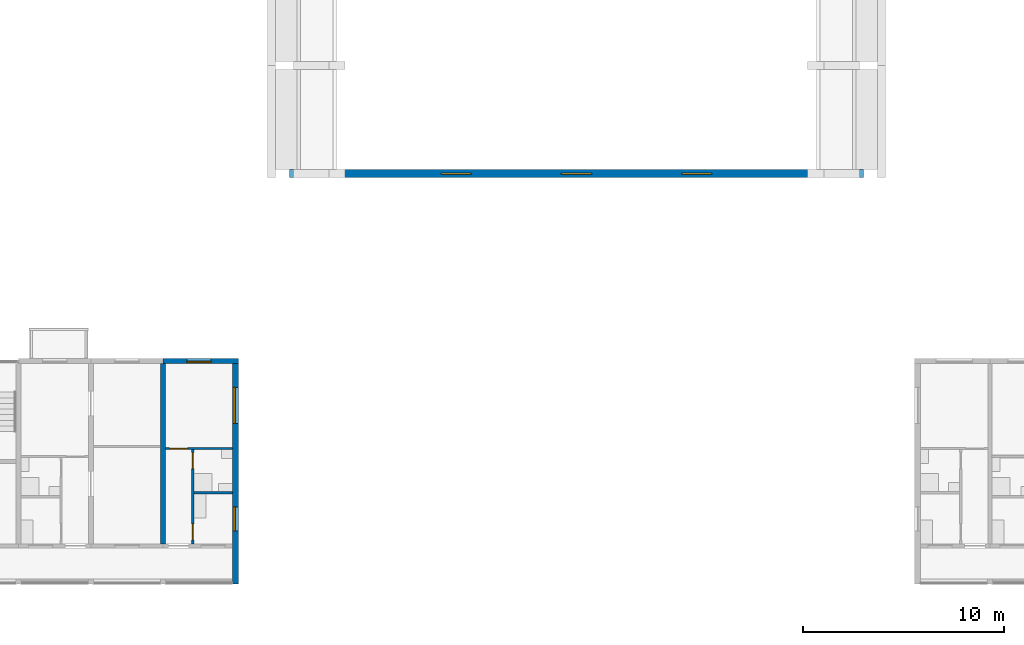
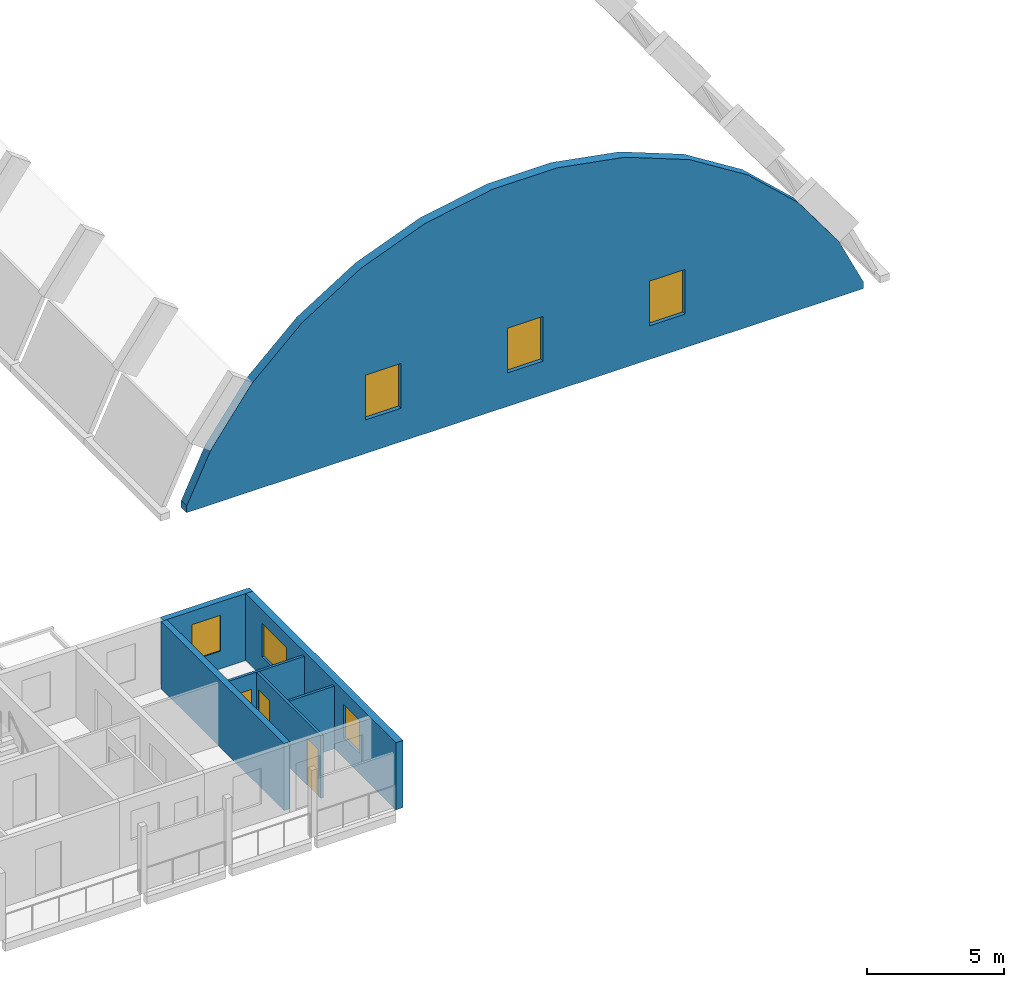
# One storey, part 41 of 100: 7 walls, 6 windows, 3 doors, 9 openings.
"""IFC4 building model written with IfcOpenShell, lengths in metres."""

from ifc_helpers import new_model, si_unit, direction, frame, frame_2d, origin, place, context, subcontext, project, spatial, polyline, rectangle, outline, extrude, material, layer, layer_set, type_object, element, fill, save


model = new_model("IFC4")

# Units and contexts
model_context = context("Model", 3, precision=1e-05, world=origin(), true_north=direction((0.0, 1.0)))
body_context = subcontext(model_context, "Body", "Model", "MODEL_VIEW")
ifc_project = project(units=[si_unit("LENGTHUNIT", "METRE"), si_unit("AREAUNIT", "SQUARE_METRE"), si_unit("VOLUMEUNIT", "CUBIC_METRE"), si_unit("PLANEANGLEUNIT", "RADIAN"), si_unit("MASSUNIT", "GRAM", prefix="KILO")], contexts=[model_context])

# Site, building, storey
site_placement = place(None, origin())
site = spatial("IfcSite", under=ifc_project, at=site_placement, CompositionType="ELEMENT")
building_placement = place(site_placement, origin())
building = spatial("IfcBuilding", under=site, at=building_placement, Name="Ridgestep Commons", CompositionType="ELEMENT")
storey_placement = place(building_placement, frame((0.0, 0.0, 9.0)))
storey = spatial("IfcBuildingStorey", under=building, at=storey_placement, Name="L03", CompositionType="ELEMENT", Elevation=9.0)

# Wall
ifc_material_1 = material(Name="Precast concrete C40/50", Category="concrete")
ifc_layer_1 = layer(ifc_material_1, 0.25)
ifc_layer_set_1 = layer_set([ifc_layer_1], Name="Cross wall 250")
wall_type_1 = type_object("IfcWallType", Name="Cross wall 250", PredefinedType="SHEAR", material=ifc_layer_set_1)
wall_1_placement = place(storey_placement, frame((109.199951171875, 13.75, 0.0), z_axis=(0.0, 0.0, 1.0), x_axis=(0.0, 1.0, 0.0)))
element("IfcWall", 1, at=wall_1_placement, inside=storey, type_object=wall_type_1, Name="Cross wall A-03-1092", PredefinedType="SHEAR", context=body_context, shape_type="SweptSolid", body=[
    extrude(rectangle(XDim=9.0, YDim=0.25, at=frame_2d((4.5, 0.0))), origin(), (0.0, 0.0, 1.0), 3.0),
])

# Wall, openings, windows
ifc_material_2 = material(Name="Precast concrete C40/50", Category="concrete")
ifc_layer_2 = layer(ifc_material_2, 0.300048828125)
ifc_layer_set_2 = layer_set([ifc_layer_2], Name="Exposed division wall 300")
wall_type_2 = type_object("IfcWallType", Name="Exposed division wall 300", PredefinedType="SHEAR", material=ifc_layer_set_2)
wall_2_placement = place(storey_placement, frame((112.800048828125, 11.75, 0.0), z_axis=(0.0, 0.0, 1.0), x_axis=(0.0, 1.0, 0.0)))
wall_2 = element("IfcWall", 2, at=wall_2_placement, inside=storey, type_object=wall_type_2, Name="Cross wall A-03-1128", PredefinedType="SHEAR", context=body_context, shape_type="SweptSolid", body=[
    extrude(rectangle(XDim=11.0, YDim=0.300048828125, at=frame_2d((5.5, 0.0))), origin(), (0.0, 0.0, 1.0), 3.0),
])
opening_1_placement = place(wall_2_placement, frame((2.64990234375, 0.0, 0.89990234375)))
opening_1 = element("IfcOpeningElement", 3, at=opening_1_placement, cuts=wall_2, Name="Opening W10", PredefinedType="OPENING", context=body_context, shape_type="SweptSolid", body=[
    extrude(rectangle(XDim=1.199951171875, YDim=1.5, at=frame_2d((0.60009765625, 0.75))), frame((0.0, 0.159912109375, 0.0), z_axis=(0.0, -1.0, 0.0), x_axis=(1.0, 0.0, 0.0)), (0.0, 0.0, 1.0), 0.320068359375),
])
opening_2_placement = place(wall_2_placement, frame((8.0048828125, 0.0, 0.89990234375)))
opening_2 = element("IfcOpeningElement", 4, at=opening_2_placement, cuts=wall_2, Name="Opening W20", PredefinedType="OPENING", context=body_context, shape_type="SweptSolid", body=[
    extrude(rectangle(XDim=1.800048828125, YDim=1.5, at=frame_2d((0.89990234375, 0.75))), frame((0.0, 0.159912109375, 0.0), z_axis=(0.0, -1.0, 0.0), x_axis=(1.0, 0.0, 0.0)), (0.0, 0.0, 1.0), 0.320068359375),
])
ifc_material_3 = material(Name="Aluminium 6063-T6 and glass", Category="aluminium")
window_type_1 = type_object("IfcWindowType", Name="Flat window 1200 x 1500", PartitioningType="SINGLE_PANEL", PredefinedType="WINDOW", material=ifc_material_3)
window_1_placement = place(opening_1_placement, origin())
window_1 = element("IfcWindow", 5, at=window_1_placement, inside=storey, type_object=window_type_1, Name="Window A6-03a 3", OverallHeight=1.5, OverallWidth=1.199951171875, PartitioningType="SINGLE_PANEL", PredefinedType="WINDOW", context=body_context, shape_type="SweptSolid", body=[
    extrude(rectangle(XDim=1.199951171875, YDim=1.5, at=frame_2d((0.60009765625, 0.75))), frame((0.0, 0.06005859375, 0.0), z_axis=(0.0, -1.0, 0.0), x_axis=(1.0, 0.0, 0.0)), (0.0, 0.0, 1.0), 0.06005859375),
])
fill(opening_1, window_1)
ifc_material_4 = material(Name="Aluminium 6063-T6 and glass", Category="aluminium")
window_type_2 = type_object("IfcWindowType", Name="Flat window 1800 x 1500", PartitioningType="DOUBLE_PANEL_VERTICAL", PredefinedType="WINDOW", material=ifc_material_4)
window_2_placement = place(opening_2_placement, origin())
window_2 = element("IfcWindow", 6, at=window_2_placement, inside=storey, type_object=window_type_2, Name="Window A6-03a 4", OverallHeight=1.5, OverallWidth=1.800048828125, PartitioningType="SINGLE_PANEL", PredefinedType="WINDOW", context=body_context, shape_type="SweptSolid", body=[
    extrude(rectangle(XDim=1.800048828125, YDim=1.5, at=frame_2d((0.89990234375, 0.75))), frame((0.0, 0.06005859375, 0.0), z_axis=(0.0, -1.0, 0.0), x_axis=(1.0, 0.0, 0.0)), (0.0, 0.0, 1.0), 0.06005859375),
])
fill(opening_2, window_2)

ifc_material_5 = material(Name="Precast concrete C40/50", Category="concrete")
ifc_layer_3 = layer(ifc_material_5, 0.39990234375)
ifc_layer_set_3 = layer_set([ifc_layer_3], Name="Hall gable infill 400")
wall_type_3 = type_object("IfcWallType", Name="Hall gable infill 400", PredefinedType="SOLIDWALL", material=ifc_layer_set_3)
wall_3_placement = place(storey_placement, frame((115.5, 32.199951171875, 0.0), z_axis=(0.0, 0.0, 1.0), x_axis=(1.0, 0.0, 0.0)))
wall_3 = element("IfcWall", 7, at=wall_3_placement, inside=storey, type_object=wall_type_3, Name="Hall gable infill 400", PredefinedType="SOLIDWALL", context=body_context, shape_type="SweptSolid", body=[
    extrude(outline(polyline([(0.0, 0.0), (28.60009765625, 0.0), (28.60009765625, 0.2978515625), (27.575439453125, 2.45263671875), (25.8505859375, 4.804931640625), (23.71435546875, 6.79150390625), (21.2431640625, 8.34130859375), (18.524658203125, 9.3994140625), (15.654296875, 9.928466796875), (14.300048828125, 9.928466796875), (12.94580078125, 9.928466796875), (10.0751953125, 9.3994140625), (7.35693359375, 8.34130859375), (4.8857421875, 6.79150390625), (2.74951171875, 4.804931640625), (1.0244140625, 2.45263671875), (0.0, 0.2978515625), (0.0, 0.0)])), frame((0.0, 0.199951171875, 0.0), z_axis=(0.0, -1.0, 0.0), x_axis=(1.0, 0.0, 0.0)), (0.0, 0.0, 1.0), 0.39990234375),
])
opening_3_placement = place(wall_3_placement, frame((7.550048828125, 0.0, 1.5)))
opening_3 = element("IfcOpeningElement", 8, at=opening_3_placement, cuts=wall_3, Name="Opening WK7", PredefinedType="OPENING", context=body_context, shape_type="SweptSolid", body=[
    extrude(rectangle(XDim=1.5, YDim=2.0, at=frame_2d((0.75, 1.0))), frame((0.0, 0.2099609375, 0.0), z_axis=(0.0, -1.0, 0.0), x_axis=(1.0, 0.0, 0.0)), (0.0, 0.0, 1.0), 0.419921875),
])
opening_4_placement = place(wall_3_placement, frame((13.550048828125, 0.0, 1.5)))
opening_4 = element("IfcOpeningElement", 9, at=opening_4_placement, cuts=wall_3, Name="Opening WK7", PredefinedType="OPENING", context=body_context, shape_type="SweptSolid", body=[
    extrude(rectangle(XDim=1.5, YDim=2.0, at=frame_2d((0.75, 1.0))), frame((0.0, 0.2099609375, 0.0), z_axis=(0.0, -1.0, 0.0), x_axis=(1.0, 0.0, 0.0)), (0.0, 0.0, 1.0), 0.419921875),
])
opening_5_placement = place(wall_3_placement, frame((19.550048828125, 0.0, 1.5)))
opening_5 = element("IfcOpeningElement", 10, at=opening_5_placement, cuts=wall_3, Name="Opening WK7", PredefinedType="OPENING", context=body_context, shape_type="SweptSolid", body=[
    extrude(rectangle(XDim=1.5, YDim=2.0, at=frame_2d((0.75, 1.0))), frame((0.0, 0.2099609375, 0.0), z_axis=(0.0, -1.0, 0.0), x_axis=(1.0, 0.0, 0.0)), (0.0, 0.0, 1.0), 0.419921875),
])
ifc_material_6 = material(Name="Aluminium and glass", Category="aluminium")
window_type_3 = type_object("IfcWindowType", Name="Gable window 1500 x 2000", PartitioningType="SINGLE_PANEL", PredefinedType="WINDOW", material=ifc_material_6)
window_3_placement = place(opening_3_placement, origin())
window_3 = element("IfcWindow", 11, at=window_3_placement, inside=storey, type_object=window_type_3, Name="Gable window 1500 x 2000", OverallHeight=2.0, OverallWidth=1.5, PartitioningType="SINGLE_PANEL", PredefinedType="WINDOW", context=body_context, shape_type="SweptSolid", body=[
    extrude(rectangle(XDim=1.5, YDim=2.0, at=frame_2d((0.75, 1.0))), frame((0.0, 0.030029296875, 0.0), z_axis=(0.0, -1.0, 0.0), x_axis=(1.0, 0.0, 0.0)), (0.0, 0.0, 1.0), 0.06005859375),
])
fill(opening_3, window_3)
window_4_placement = place(opening_4_placement, origin())
window_4 = element("IfcWindow", 12, at=window_4_placement, inside=storey, type_object=window_type_3, Name="Gable window 1500 x 2000", OverallHeight=2.0, OverallWidth=1.5, PartitioningType="SINGLE_PANEL", PredefinedType="WINDOW", context=body_context, shape_type="SweptSolid", body=[
    extrude(rectangle(XDim=1.5, YDim=2.0, at=frame_2d((0.75, 1.0))), frame((0.0, 0.030029296875, 0.0), z_axis=(0.0, -1.0, 0.0), x_axis=(1.0, 0.0, 0.0)), (0.0, 0.0, 1.0), 0.06005859375),
])
fill(opening_4, window_4)
window_5_placement = place(opening_5_placement, origin())
window_5 = element("IfcWindow", 13, at=window_5_placement, inside=storey, type_object=window_type_3, Name="Gable window 1500 x 2000", OverallHeight=2.0, OverallWidth=1.5, PartitioningType="SINGLE_PANEL", PredefinedType="WINDOW", context=body_context, shape_type="SweptSolid", body=[
    extrude(rectangle(XDim=1.5, YDim=2.0, at=frame_2d((0.75, 1.0))), frame((0.0, 0.030029296875, 0.0), z_axis=(0.0, -1.0, 0.0), x_axis=(1.0, 0.0, 0.0)), (0.0, 0.0, 1.0), 0.06005859375),
])
fill(opening_5, window_5)

# Wall, opening, window
ifc_material_7 = material(Name="Precast concrete C40/50", Category="concrete")
ifc_layer_4 = layer(ifc_material_7, 0.25)
ifc_layer_set_4 = layer_set([ifc_layer_4], Name="North facade panel 250")
wall_type_4 = type_object("IfcWallType", Name="North facade panel 250", PredefinedType="SOLIDWALL", material=ifc_layer_set_4)
wall_4_placement = place(storey_placement, frame((109.199951171875, 22.875, 0.0), z_axis=(0.0, 0.0, 1.0), x_axis=(1.0, 0.0, 0.0)))
wall_4 = element("IfcWall", 14, at=wall_4_placement, inside=storey, type_object=wall_type_4, Name="North panel A6T1 L03", PredefinedType="SOLIDWALL", context=body_context, shape_type="SweptSolid", body=[
    extrude(rectangle(XDim=3.75, YDim=0.25, at=frame_2d((1.875, 0.0))), origin(), (0.0, 0.0, 1.0), 3.0),
])
opening_6_placement = place(wall_4_placement, frame((1.1875, 0.0, 0.800048828125)))
opening_6 = element("IfcOpeningElement", 15, at=opening_6_placement, cuts=wall_4, Name="Opening W11", PredefinedType="OPENING", context=body_context, shape_type="SweptSolid", body=[
    extrude(rectangle(XDim=1.199951171875, YDim=1.60009765625, at=frame_2d((0.60009765625, 0.800048828125))), frame((0.0, 0.135009765625, 0.0), z_axis=(0.0, -1.0, 0.0), x_axis=(1.0, 0.0, 0.0)), (0.0, 0.0, 1.0), 0.27001953125),
])
ifc_material_8 = material(Name="Aluminium 6063-T6 and glass", Category="aluminium")
window_type_4 = type_object("IfcWindowType", Name="Flat window 1200 x 1600", PartitioningType="SINGLE_PANEL", PredefinedType="WINDOW", material=ifc_material_8)
window_6_placement = place(opening_6_placement, origin())
window_6 = element("IfcWindow", 16, at=window_6_placement, inside=storey, type_object=window_type_4, Name="Window A6-03a 2", OverallHeight=1.60009765625, OverallWidth=1.199951171875, PartitioningType="SINGLE_PANEL", PredefinedType="WINDOW", context=body_context, shape_type="SweptSolid", body=[
    extrude(rectangle(XDim=1.199951171875, YDim=1.60009765625, at=frame_2d((0.60009765625, 0.800048828125))), frame((0.0, -0.02490234375, 0.0), z_axis=(0.0, -1.0, 0.0), x_axis=(1.0, 0.0, 0.0)), (0.0, 0.0, 1.0), 0.06005859375),
])
fill(opening_6, window_6)

# Wall, openings, doors
ifc_material_9 = material(Name="Common brick 110 mm", Category="masonry")
ifc_layer_5 = layer(ifc_material_9, 0.110107421875)
ifc_layer_set_5 = layer_set([ifc_layer_5], Name="Partition 110")
wall_type_5 = type_object("IfcWallType", Name="Partition 110", PredefinedType="PARTITIONING", material=ifc_layer_set_5)
wall_5_placement = place(storey_placement, frame((110.679931640625, 13.75, 0.0), z_axis=(0.0, 0.0, 1.0), x_axis=(0.0, 1.0, 0.0)))
wall_5 = element("IfcWall", 17, at=wall_5_placement, inside=storey, type_object=wall_type_5, Name="Partition A6-03a", PredefinedType="PARTITIONING", context=body_context, shape_type="SweptSolid", body=[
    extrude(rectangle(XDim=4.699951171875, YDim=0.110107421875, at=frame_2d((2.35009765625, 0.0))), origin(), (0.0, 0.0, 1.0), 2.800048828125),
])
opening_7_placement = place(wall_5_placement, frame((0.199951171875, 0.0, 0.0)))
opening_7 = element("IfcOpeningElement", 18, at=opening_7_placement, cuts=wall_5, Name="Opening A6-03a/2", PredefinedType="OPENING", context=body_context, shape_type="SweptSolid", body=[
    extrude(rectangle(XDim=0.800048828125, YDim=2.10009765625, at=frame_2d((0.39990234375, 1.050048828125))), frame((0.0, 0.06494140625, 0.0), z_axis=(0.0, -1.0, 0.0), x_axis=(1.0, 0.0, 0.0)), (0.0, 0.0, 1.0), 0.130126953125),
])
opening_8_placement = place(wall_5_placement, frame((3.75, 0.0, 0.0)))
opening_8 = element("IfcOpeningElement", 19, at=opening_8_placement, cuts=wall_5, Name="Opening A6-03a/3", PredefinedType="OPENING", context=body_context, shape_type="SweptSolid", body=[
    extrude(rectangle(XDim=0.800048828125, YDim=2.10009765625, at=frame_2d((0.39990234375, 1.050048828125))), frame((0.0, 0.06494140625, 0.0), z_axis=(0.0, -1.0, 0.0), x_axis=(1.0, 0.0, 0.0)), (0.0, 0.0, 1.0), 0.130126953125),
])
ifc_material_10 = material(Name="Timber door leaf", Category="wood")
door_type_1 = type_object("IfcDoorType", Name="Internal door 800 x 2100", OperationType="NOTDEFINED", PredefinedType="DOOR", material=ifc_material_10)
door_1_placement = place(opening_7_placement, origin())
door_1 = element("IfcDoor", 20, at=door_1_placement, inside=storey, type_object=door_type_1, Name="Internal door A6-03a/2", OperationType="SINGLE_SWING_RIGHT", OverallHeight=2.10009765625, OverallWidth=0.800048828125, PredefinedType="DOOR", context=body_context, shape_type="SweptSolid", body=[
    extrude(rectangle(XDim=0.800048828125, YDim=2.10009765625, at=frame_2d((0.39990234375, 1.050048828125))), frame((0.0, 0.02490234375, 0.0), z_axis=(0.0, -1.0, 0.0), x_axis=(1.0, 0.0, 0.0)), (0.0, 0.0, 1.0), 0.050048828125),
])
fill(opening_7, door_1)
door_2_placement = place(opening_8_placement, origin())
door_2 = element("IfcDoor", 21, at=door_2_placement, inside=storey, type_object=door_type_1, Name="Internal door A6-03a/3", OperationType="SINGLE_SWING_LEFT", OverallHeight=2.10009765625, OverallWidth=0.800048828125, PredefinedType="DOOR", context=body_context, shape_type="SweptSolid", body=[
    extrude(rectangle(XDim=0.800048828125, YDim=2.10009765625, at=frame_2d((0.39990234375, 1.050048828125))), frame((0.0, 0.02490234375, 0.0), z_axis=(0.0, -1.0, 0.0), x_axis=(1.0, 0.0, 0.0)), (0.0, 0.0, 1.0), 0.050048828125),
])
fill(opening_8, door_2)

# Wall
wall_6_placement = place(storey_placement, frame((110.735107421875, 16.304931640625, 0.0), z_axis=(0.0, 0.0, 1.0), x_axis=(1.0, 0.0, 0.0)))
element("IfcWall", 22, at=wall_6_placement, inside=storey, type_object=wall_type_5, Name="Partition A6-03a", PredefinedType="PARTITIONING", context=body_context, shape_type="SweptSolid", body=[
    extrude(rectangle(XDim=1.914794921875, YDim=0.110107421875, at=frame_2d((0.95751953125, 0.0))), origin(), (0.0, 0.0, 1.0), 2.800048828125),
])

# Wall, opening, door
wall_7_placement = place(storey_placement, frame((109.324951171875, 18.5048828125, 0.0), z_axis=(0.0, 0.0, 1.0), x_axis=(1.0, 0.0, 0.0)))
wall_7 = element("IfcWall", 23, at=wall_7_placement, inside=storey, type_object=wall_type_5, Name="Partition A6-03a", PredefinedType="PARTITIONING", context=body_context, shape_type="SweptSolid", body=[
    extrude(rectangle(XDim=3.324951171875, YDim=0.110107421875, at=frame_2d((1.66259765625, 0.0))), origin(), (0.0, 0.0, 1.0), 2.800048828125),
])
opening_9_placement = place(wall_7_placement, frame((0.199951171875, 0.0, 0.0)))
opening_9 = element("IfcOpeningElement", 24, at=opening_9_placement, cuts=wall_7, Name="Opening A6-03a/4", PredefinedType="OPENING", context=body_context, shape_type="SweptSolid", body=[
    extrude(rectangle(XDim=0.89990234375, YDim=2.10009765625, at=frame_2d((0.449951171875, 1.050048828125))), frame((0.0, 0.06494140625, 0.0), z_axis=(0.0, -1.0, 0.0), x_axis=(1.0, 0.0, 0.0)), (0.0, 0.0, 1.0), 0.130126953125),
])
ifc_material_11 = material(Name="Timber door leaf", Category="wood")
door_type_2 = type_object("IfcDoorType", Name="Internal door 900 x 2100", OperationType="NOTDEFINED", PredefinedType="DOOR", material=ifc_material_11)
door_3_placement = place(opening_9_placement, origin())
door_3 = element("IfcDoor", 25, at=door_3_placement, inside=storey, type_object=door_type_2, Name="Internal door A6-03a/4", OperationType="SINGLE_SWING_LEFT", OverallHeight=2.10009765625, OverallWidth=0.89990234375, PredefinedType="DOOR", context=body_context, shape_type="SweptSolid", body=[
    extrude(rectangle(XDim=0.89990234375, YDim=2.10009765625, at=frame_2d((0.449951171875, 1.050048828125))), frame((0.0, 0.02490234375, 0.0), z_axis=(0.0, -1.0, 0.0), x_axis=(1.0, 0.0, 0.0)), (0.0, 0.0, 1.0), 0.050048828125),
])
fill(opening_9, door_3)

save(model, "model.ifc")
